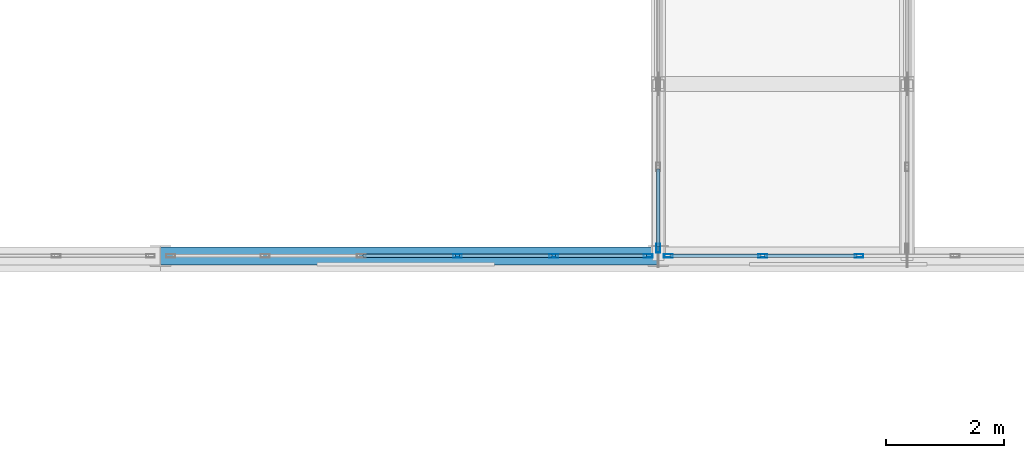
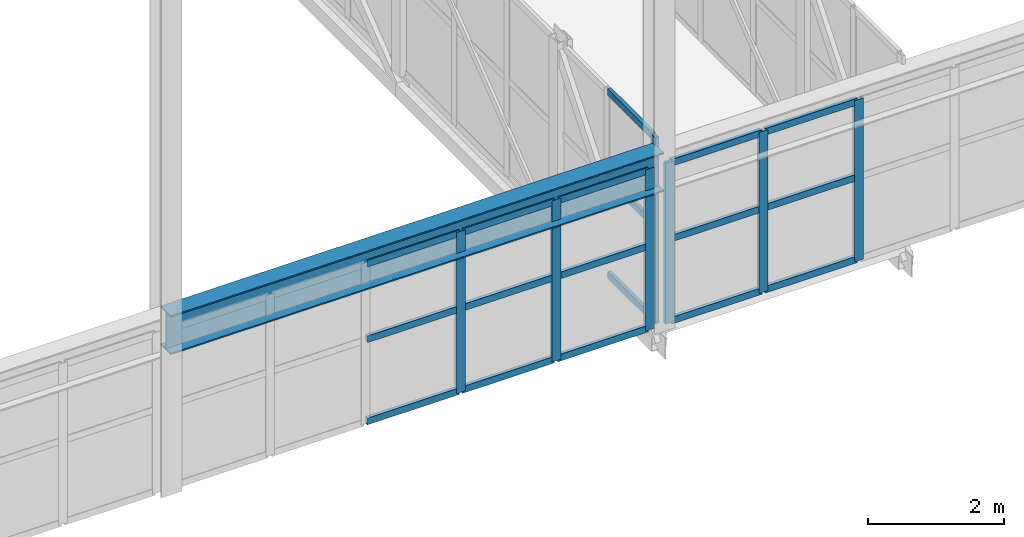
# One storey, part 80 of 218: 25 members, 1 beam, 3 elements without a shape of their own.
"""IFC4 building model written with IfcOpenShell, lengths in metres."""

from ifc_helpers import new_model, si_unit, direction, frame, origin, origin_2d, place, context, subcontext, project, spatial, hollow_rectangle, i_section, extrude, material, material_profile, profile_set, type_object, element, aggregate, save


model = new_model("IFC4")

# Units and contexts
model_context = context("Model", 3, precision=1e-05, world=origin(), true_north=direction((0.0, 1.0)))
body_context = subcontext(model_context, "Body", "Model", "MODEL_VIEW")
ifc_project = project(units=[si_unit("LENGTHUNIT", "METRE"), si_unit("AREAUNIT", "SQUARE_METRE"), si_unit("VOLUMEUNIT", "CUBIC_METRE"), si_unit("PLANEANGLEUNIT", "RADIAN"), si_unit("MASSUNIT", "GRAM", prefix="KILO")], contexts=[model_context])

# Site, building, storey
site_placement = place(None, origin())
site = spatial("IfcSite", under=ifc_project, at=site_placement, CompositionType="ELEMENT")
building_placement = place(site_placement, origin())
building = spatial("IfcBuilding", under=site, at=building_placement, Name="Kazenagashi Tramway Depot", CompositionType="ELEMENT")
storey_placement = place(building_placement, frame((0.0, 0.0, 6.0)))
storey = spatial("IfcBuildingStorey", under=building, at=storey_placement, Name="L02", CompositionType="ELEMENT", Elevation=6.0)

# Beam
ifc_material_1 = material(Name="Steel SN490B", Category="steel")
ifc_material_profile_1 = material_profile(ifc_material_1, i_section(OverallWidth=0.3, OverallDepth=0.7, WebThickness=0.013, FlangeThickness=0.024, at=origin_2d()), Name="H-700x300x13x24")
ifc_profile_set_1 = profile_set([ifc_material_profile_1], Name="Steel SN490B")
beam_type = type_object("IfcBeamType", Name="G-02", PredefinedType="BEAM", material=ifc_profile_set_1)
beam_placement = place(storey_placement, frame((78.4, 54.9, 2.85), z_axis=(1.0, 0.0, 0.0), x_axis=(0.0, 1.0, 0.0)))
element("IfcBeam", 1, at=beam_placement, inside=storey, type_object=beam_type, Name="Beam G-02 BM-1177", PredefinedType="BEAM", context=body_context, shape_type="SweptSolid", body=[
    extrude(i_section(OverallWidth=0.3, OverallDepth=0.7, WebThickness=0.013, FlangeThickness=0.024, at=origin_2d()), origin(), (0.0, 0.0, 1.0), 8.4),
])

# Curtain wall, members
ifc_material_2 = material(Name="Anodised Aluminium and Low-E Glazing", Category="aluminium")
curtain_wall_type_1 = type_object("IfcCurtainWallType", Name="CW-21", PredefinedType="USERDEFINED", material=ifc_material_2)
curtain_wall_1_placement = place(storey_placement, origin())
curtain_wall_1 = element("IfcCurtainWall", 2, at=curtain_wall_1_placement, inside=storey, type_object=curtain_wall_type_1, Name="Industrial Glazed Screen CW-21 CW-0111", ObjectType="GLAZED SCREEN", PredefinedType="USERDEFINED")
ifc_material_3 = material(Name="Anodised Aluminium", Category="aluminium")
ifc_material_profile_2 = material_profile(ifc_material_3, hollow_rectangle(XDim=0.06, YDim=0.15, WallThickness=0.004, at=origin_2d()), Name="RHS-150x60x4")
ifc_profile_set_2 = profile_set([ifc_material_profile_2], Name="Anodised Aluminium")
member_type_1 = type_object("IfcMemberType", Name="ML-01", PredefinedType="MULLION", material=ifc_profile_set_2)
member_1_placement = place(storey_placement, frame((83.412, 54.9, 0.0), z_axis=(0.0, 0.0, 1.0), x_axis=(0.0, 1.0, 0.0)))
member_1 = element("IfcMember", 3, at=member_1_placement, type_object=member_type_1, Name="CW-21 mullion 4", PredefinedType="MULLION", context=body_context, shape_type="SweptSolid", body=[
    extrude(hollow_rectangle(XDim=0.06, YDim=0.15, WallThickness=0.004, at=origin_2d()), origin(), (0.0, 0.0, 1.0), 2.9),
])
member_2_placement = place(storey_placement, frame((85.036, 54.9, 0.0), z_axis=(0.0, 0.0, 1.0), x_axis=(0.0, 1.0, 0.0)))
member_2 = element("IfcMember", 4, at=member_2_placement, type_object=member_type_1, Name="CW-21 mullion 5", PredefinedType="MULLION", context=body_context, shape_type="SweptSolid", body=[
    extrude(hollow_rectangle(XDim=0.06, YDim=0.15, WallThickness=0.004, at=origin_2d()), origin(), (0.0, 0.0, 1.0), 2.9),
])
member_3_placement = place(storey_placement, frame((86.63, 54.9, 0.0), z_axis=(0.0, 0.0, 1.0), x_axis=(0.0, 1.0, 0.0)))
member_3 = element("IfcMember", 5, at=member_3_placement, type_object=member_type_1, Name="CW-21 mullion 6", PredefinedType="MULLION", context=body_context, shape_type="SweptSolid", body=[
    extrude(hollow_rectangle(XDim=0.06, YDim=0.15, WallThickness=0.004, at=origin_2d()), origin(), (0.0, 0.0, 1.0), 2.9),
])

curtain_wall_2_placement = place(storey_placement, origin())
curtain_wall_2 = element("IfcCurtainWall", 6, at=curtain_wall_2_placement, inside=storey, type_object=curtain_wall_type_1, Name="Industrial Glazed Screen CW-21 CW-0112", ObjectType="GLAZED SCREEN", PredefinedType="USERDEFINED")
member_4_placement = place(storey_placement, frame((86.97, 54.9, 0.0), z_axis=(0.0, 0.0, 1.0), x_axis=(0.0, 1.0, 0.0)))
member_4 = element("IfcMember", 7, at=member_4_placement, type_object=member_type_1, Name="CW-21 mullion 1", PredefinedType="MULLION", context=body_context, shape_type="SweptSolid", body=[
    extrude(hollow_rectangle(XDim=0.06, YDim=0.15, WallThickness=0.004, at=origin_2d()), origin(), (0.0, 0.0, 1.0), 2.9),
])
member_5_placement = place(storey_placement, frame((88.564, 54.9, 0.0), z_axis=(0.0, 0.0, 1.0), x_axis=(0.0, 1.0, 0.0)))
member_5 = element("IfcMember", 8, at=member_5_placement, type_object=member_type_1, Name="CW-21 mullion 2", PredefinedType="MULLION", context=body_context, shape_type="SweptSolid", body=[
    extrude(hollow_rectangle(XDim=0.06, YDim=0.15, WallThickness=0.004, at=origin_2d()), origin(), (0.0, 0.0, 1.0), 2.9),
])
member_6_placement = place(storey_placement, frame((90.188, 54.9, 0.0), z_axis=(0.0, 0.0, 1.0), x_axis=(0.0, 1.0, 0.0)))
member_6 = element("IfcMember", 9, at=member_6_placement, type_object=member_type_1, Name="CW-21 mullion 3", PredefinedType="MULLION", context=body_context, shape_type="SweptSolid", body=[
    extrude(hollow_rectangle(XDim=0.06, YDim=0.15, WallThickness=0.004, at=origin_2d()), origin(), (0.0, 0.0, 1.0), 2.9),
])

# Curtain wall, member
curtain_wall_type_2 = type_object("IfcCurtainWallType", Name="CW-27", PredefinedType="USERDEFINED", material=ifc_material_2)
curtain_wall_3_placement = place(storey_placement, origin())
curtain_wall_3 = element("IfcCurtainWall", 10, at=curtain_wall_3_placement, inside=storey, type_object=curtain_wall_type_2, Name="Industrial Glazed Screen CW-27 CW-0151", ObjectType="GLAZED SCREEN", PredefinedType="USERDEFINED")
member_7_placement = place(storey_placement, frame((86.8, 55.03, 0.0), z_axis=(0.0, 0.0, 1.0), x_axis=(-1.0, 0.0, 0.0)))
member_7 = element("IfcMember", 11, at=member_7_placement, type_object=member_type_1, Name="CW-27 mullion 1", PredefinedType="MULLION", context=body_context, shape_type="SweptSolid", body=[
    extrude(hollow_rectangle(XDim=0.06, YDim=0.15, WallThickness=0.004, at=origin_2d()), origin(), (0.0, 0.0, 1.0), 3.35),
])

# Member
ifc_material_profile_3 = material_profile(ifc_material_3, hollow_rectangle(XDim=0.06, YDim=0.12, WallThickness=0.004, at=origin_2d()), Name="RHS-120x60x4")
ifc_profile_set_3 = profile_set([ifc_material_profile_3], Name="Anodised Aluminium")
member_type_2 = type_object("IfcMemberType", Name="TR-01", PredefinedType="USERDEFINED", material=ifc_profile_set_3)
member_8_placement = place(storey_placement, frame((81.818, 54.9, 0.03), z_axis=(1.0, 0.0, 0.0), x_axis=(0.0, 1.0, 0.0)))
member_8 = element("IfcMember", 12, at=member_8_placement, type_object=member_type_2, Name="CW-21 transom 3.1", ObjectType="TRANSOM", PredefinedType="USERDEFINED", context=body_context, shape_type="SweptSolid", body=[
    extrude(hollow_rectangle(XDim=0.06, YDim=0.12, WallThickness=0.004, at=origin_2d()), origin(), (0.0, 0.0, 1.0), 1.564),
])

member_9_placement = place(storey_placement, frame((81.818, 54.9, 1.508), z_axis=(1.0, 0.0, 0.0), x_axis=(0.0, 1.0, 0.0)))
member_9 = element("IfcMember", 13, at=member_9_placement, type_object=member_type_2, Name="CW-21 transom 3.2", ObjectType="TRANSOM", PredefinedType="USERDEFINED", context=body_context, shape_type="SweptSolid", body=[
    extrude(hollow_rectangle(XDim=0.06, YDim=0.12, WallThickness=0.004, at=origin_2d()), origin(), (0.0, 0.0, 1.0), 1.564),
])

member_10_placement = place(storey_placement, frame((81.818, 54.9, 2.87), z_axis=(1.0, 0.0, 0.0), x_axis=(0.0, 1.0, 0.0)))
member_10 = element("IfcMember", 14, at=member_10_placement, type_object=member_type_2, Name="CW-21 transom 3.3", ObjectType="TRANSOM", PredefinedType="USERDEFINED", context=body_context, shape_type="SweptSolid", body=[
    extrude(hollow_rectangle(XDim=0.06, YDim=0.12, WallThickness=0.004, at=origin_2d()), origin(), (0.0, 0.0, 1.0), 1.564),
])

member_11_placement = place(storey_placement, frame((83.442, 54.9, 0.03), z_axis=(1.0, 0.0, 0.0), x_axis=(0.0, 1.0, 0.0)))
member_11 = element("IfcMember", 15, at=member_11_placement, type_object=member_type_2, Name="CW-21 transom 4.1", ObjectType="TRANSOM", PredefinedType="USERDEFINED", context=body_context, shape_type="SweptSolid", body=[
    extrude(hollow_rectangle(XDim=0.06, YDim=0.12, WallThickness=0.004, at=origin_2d()), origin(), (0.0, 0.0, 1.0), 1.564),
])

member_12_placement = place(storey_placement, frame((83.442, 54.9, 1.508), z_axis=(1.0, 0.0, 0.0), x_axis=(0.0, 1.0, 0.0)))
member_12 = element("IfcMember", 16, at=member_12_placement, type_object=member_type_2, Name="CW-21 transom 4.2", ObjectType="TRANSOM", PredefinedType="USERDEFINED", context=body_context, shape_type="SweptSolid", body=[
    extrude(hollow_rectangle(XDim=0.06, YDim=0.12, WallThickness=0.004, at=origin_2d()), origin(), (0.0, 0.0, 1.0), 1.564),
])

member_13_placement = place(storey_placement, frame((83.442, 54.9, 2.87), z_axis=(1.0, 0.0, 0.0), x_axis=(0.0, 1.0, 0.0)))
member_13 = element("IfcMember", 17, at=member_13_placement, type_object=member_type_2, Name="CW-21 transom 4.3", ObjectType="TRANSOM", PredefinedType="USERDEFINED", context=body_context, shape_type="SweptSolid", body=[
    extrude(hollow_rectangle(XDim=0.06, YDim=0.12, WallThickness=0.004, at=origin_2d()), origin(), (0.0, 0.0, 1.0), 1.564),
])

member_14_placement = place(storey_placement, frame((85.066, 54.9, 0.03), z_axis=(1.0, 0.0, 0.0), x_axis=(0.0, 1.0, 0.0)))
member_14 = element("IfcMember", 18, at=member_14_placement, type_object=member_type_2, Name="CW-21 transom 5.1", ObjectType="TRANSOM", PredefinedType="USERDEFINED", context=body_context, shape_type="SweptSolid", body=[
    extrude(hollow_rectangle(XDim=0.06, YDim=0.12, WallThickness=0.004, at=origin_2d()), origin(), (0.0, 0.0, 1.0), 1.534),
])

member_15_placement = place(storey_placement, frame((85.066, 54.9, 1.508), z_axis=(1.0, 0.0, 0.0), x_axis=(0.0, 1.0, 0.0)))
member_15 = element("IfcMember", 19, at=member_15_placement, type_object=member_type_2, Name="CW-21 transom 5.2", ObjectType="TRANSOM", PredefinedType="USERDEFINED", context=body_context, shape_type="SweptSolid", body=[
    extrude(hollow_rectangle(XDim=0.06, YDim=0.12, WallThickness=0.004, at=origin_2d()), origin(), (0.0, 0.0, 1.0), 1.534),
])

member_16_placement = place(storey_placement, frame((85.066, 54.9, 2.87), z_axis=(1.0, 0.0, 0.0), x_axis=(0.0, 1.0, 0.0)))
member_16 = element("IfcMember", 20, at=member_16_placement, type_object=member_type_2, Name="CW-21 transom 5.3", ObjectType="TRANSOM", PredefinedType="USERDEFINED", context=body_context, shape_type="SweptSolid", body=[
    extrude(hollow_rectangle(XDim=0.06, YDim=0.12, WallThickness=0.004, at=origin_2d()), origin(), (0.0, 0.0, 1.0), 1.534),
])

aggregate(curtain_wall_1, [member_1, member_2, member_3, member_8, member_9, member_10, member_11, member_12, member_13, member_14, member_15, member_16])

member_17_placement = place(storey_placement, frame((87.0, 54.9, 0.03), z_axis=(1.0, 0.0, 0.0), x_axis=(0.0, 1.0, 0.0)))
member_17 = element("IfcMember", 21, at=member_17_placement, type_object=member_type_2, Name="CW-21 transom 1.1", ObjectType="TRANSOM", PredefinedType="USERDEFINED", context=body_context, shape_type="SweptSolid", body=[
    extrude(hollow_rectangle(XDim=0.06, YDim=0.12, WallThickness=0.004, at=origin_2d()), origin(), (0.0, 0.0, 1.0), 1.534),
])

member_18_placement = place(storey_placement, frame((87.0, 54.9, 1.508), z_axis=(1.0, 0.0, 0.0), x_axis=(0.0, 1.0, 0.0)))
member_18 = element("IfcMember", 22, at=member_18_placement, type_object=member_type_2, Name="CW-21 transom 1.2", ObjectType="TRANSOM", PredefinedType="USERDEFINED", context=body_context, shape_type="SweptSolid", body=[
    extrude(hollow_rectangle(XDim=0.06, YDim=0.12, WallThickness=0.004, at=origin_2d()), origin(), (0.0, 0.0, 1.0), 1.534),
])

member_19_placement = place(storey_placement, frame((87.0, 54.9, 2.87), z_axis=(1.0, 0.0, 0.0), x_axis=(0.0, 1.0, 0.0)))
member_19 = element("IfcMember", 23, at=member_19_placement, type_object=member_type_2, Name="CW-21 transom 1.3", ObjectType="TRANSOM", PredefinedType="USERDEFINED", context=body_context, shape_type="SweptSolid", body=[
    extrude(hollow_rectangle(XDim=0.06, YDim=0.12, WallThickness=0.004, at=origin_2d()), origin(), (0.0, 0.0, 1.0), 1.534),
])

member_20_placement = place(storey_placement, frame((88.594, 54.9, 0.03), z_axis=(1.0, 0.0, 0.0), x_axis=(0.0, 1.0, 0.0)))
member_20 = element("IfcMember", 24, at=member_20_placement, type_object=member_type_2, Name="CW-21 transom 2.1", ObjectType="TRANSOM", PredefinedType="USERDEFINED", context=body_context, shape_type="SweptSolid", body=[
    extrude(hollow_rectangle(XDim=0.06, YDim=0.12, WallThickness=0.004, at=origin_2d()), origin(), (0.0, 0.0, 1.0), 1.564),
])

member_21_placement = place(storey_placement, frame((88.594, 54.9, 1.508), z_axis=(1.0, 0.0, 0.0), x_axis=(0.0, 1.0, 0.0)))
member_21 = element("IfcMember", 25, at=member_21_placement, type_object=member_type_2, Name="CW-21 transom 2.2", ObjectType="TRANSOM", PredefinedType="USERDEFINED", context=body_context, shape_type="SweptSolid", body=[
    extrude(hollow_rectangle(XDim=0.06, YDim=0.12, WallThickness=0.004, at=origin_2d()), origin(), (0.0, 0.0, 1.0), 1.564),
])

member_22_placement = place(storey_placement, frame((88.594, 54.9, 2.87), z_axis=(1.0, 0.0, 0.0), x_axis=(0.0, 1.0, 0.0)))
member_22 = element("IfcMember", 26, at=member_22_placement, type_object=member_type_2, Name="CW-21 transom 2.3", ObjectType="TRANSOM", PredefinedType="USERDEFINED", context=body_context, shape_type="SweptSolid", body=[
    extrude(hollow_rectangle(XDim=0.06, YDim=0.12, WallThickness=0.004, at=origin_2d()), origin(), (0.0, 0.0, 1.0), 1.564),
])

aggregate(curtain_wall_2, [member_4, member_5, member_6, member_17, member_18, member_19, member_20, member_21, member_22])

member_23_placement = place(storey_placement, frame((86.8, 55.06, 0.03), z_axis=(0.0, 1.0, 0.0), x_axis=(-1.0, 0.0, 0.0)))
member_23 = element("IfcMember", 27, at=member_23_placement, type_object=member_type_2, Name="CW-27 transom 1.1", ObjectType="TRANSOM", PredefinedType="USERDEFINED", context=body_context, shape_type="SweptSolid", body=[
    extrude(hollow_rectangle(XDim=0.06, YDim=0.12, WallThickness=0.004, at=origin_2d()), origin(), (0.0, 0.0, 1.0), 1.31),
])

member_24_placement = place(storey_placement, frame((86.8, 55.06, 1.742), z_axis=(0.0, 1.0, 0.0), x_axis=(-1.0, 0.0, 0.0)))
member_24 = element("IfcMember", 28, at=member_24_placement, type_object=member_type_2, Name="CW-27 transom 1.2", ObjectType="TRANSOM", PredefinedType="USERDEFINED", context=body_context, shape_type="SweptSolid", body=[
    extrude(hollow_rectangle(XDim=0.06, YDim=0.12, WallThickness=0.004, at=origin_2d()), origin(), (0.0, 0.0, 1.0), 1.31),
])

member_25_placement = place(storey_placement, frame((86.8, 55.06, 3.32), z_axis=(0.0, 1.0, 0.0), x_axis=(-1.0, 0.0, 0.0)))
member_25 = element("IfcMember", 29, at=member_25_placement, type_object=member_type_2, Name="CW-27 transom 1.3", ObjectType="TRANSOM", PredefinedType="USERDEFINED", context=body_context, shape_type="SweptSolid", body=[
    extrude(hollow_rectangle(XDim=0.06, YDim=0.12, WallThickness=0.004, at=origin_2d()), origin(), (0.0, 0.0, 1.0), 1.31),
])

aggregate(curtain_wall_3, [member_7, member_23, member_24, member_25])

save(model, "model.ifc")
